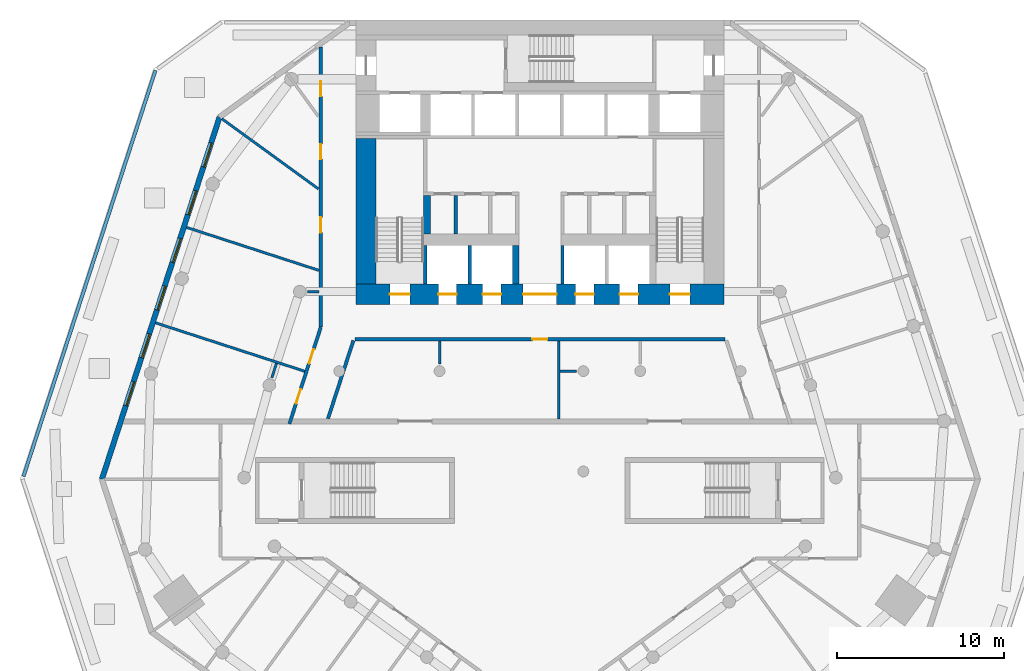
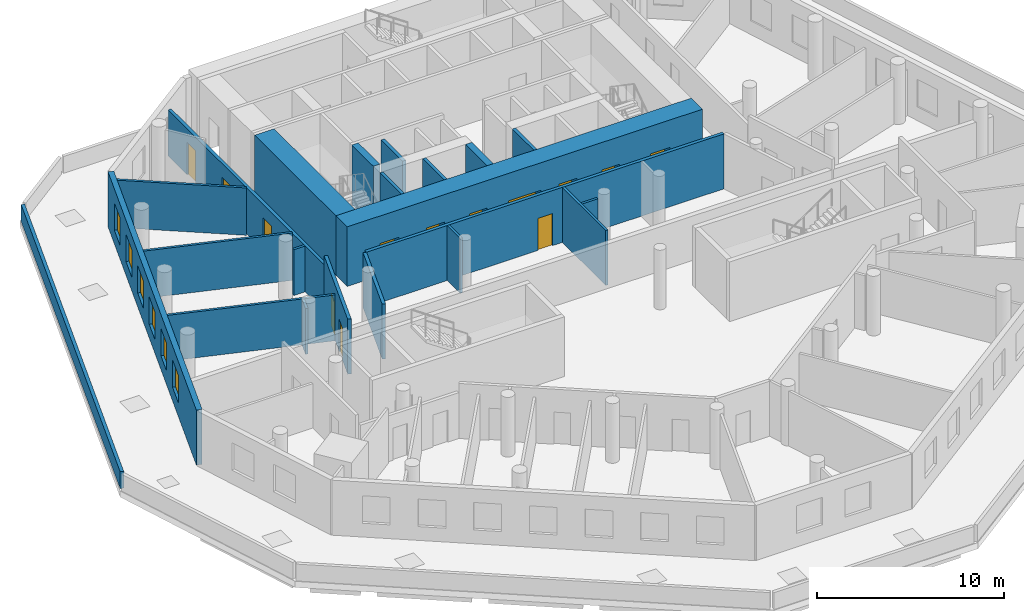
# One storey, part 5 of 10: 22 walls, 13 doors, 6 windows, 19 openings.
"""IFC4 building model written with IfcOpenShell, lengths in metres."""

from ifc_helpers import new_model, si_unit, direction, frame, frame_2d, origin, place, context, subcontext, project, spatial, rectangle, extrude, material, layer, layer_set, type_object, element, fill, save


model = new_model("IFC4")

# Units and contexts
model_context = context("Model", 3, precision=1e-05, world=origin(), true_north=direction((0.0, 1.0)))
body_context = subcontext(model_context, "Body", "Model", "MODEL_VIEW")
ifc_project = project(units=[si_unit("LENGTHUNIT", "METRE"), si_unit("AREAUNIT", "SQUARE_METRE"), si_unit("VOLUMEUNIT", "CUBIC_METRE"), si_unit("PLANEANGLEUNIT", "RADIAN"), si_unit("MASSUNIT", "GRAM", prefix="KILO")], contexts=[model_context])

# Site, building, storey
site_placement = place(None, origin())
site = spatial("IfcSite", under=ifc_project, at=site_placement, CompositionType="ELEMENT")
building_placement = place(site_placement, origin())
building = spatial("IfcBuilding", under=site, at=building_placement, Name="White Candle Pilgrim Tower", CompositionType="ELEMENT")
storey_placement = place(building_placement, frame((0.0, 0.0, 39.0)))
storey = spatial("IfcBuildingStorey", under=building, at=storey_placement, Name="L06", CompositionType="ELEMENT", Elevation=39.0)

# Wall, openings, doors
ifc_material_1 = material(Name="Gypsum board on steel studs", Category="steel")
ifc_layer_1 = layer(ifc_material_1, 0.199951171875)
ifc_layer_set_1 = layer_set([ifc_layer_1], Name="Corridor wall 200 mm EI 45")
wall_type_1 = type_object("IfcWallType", Name="Corridor wall 200 mm EI 45", PredefinedType="PARTITIONING", material=ifc_layer_set_1)
wall_1_placement = place(storey_placement, frame((55.0205078125, 63.85009765625, 0.0), z_axis=(0.0, 0.0, 1.0), x_axis=(0.309010538589, 0.951058613883, 0.0)))
wall_1 = element("IfcWall", 1, at=wall_1_placement, inside=storey, type_object=wall_type_1, Name="WL-L06-P002", PredefinedType="PARTITIONING", context=body_context, shape_type="SweptSolid", body=[
    extrude(rectangle(XDim=6.066162109375, YDim=0.199951171875, at=frame_2d((3.033203125, 0.0))), origin(), (0.0, 0.0, 1.0), 3.60009765625),
])
opening_1_placement = place(wall_1_placement, frame((1.27587890625, 0.0, 0.0)))
opening_1 = element("IfcOpeningElement", 2, at=opening_1_placement, cuts=wall_1, Name="Opening T01-117", PredefinedType="OPENING", context=body_context, shape_type="SweptSolid", body=[
    extrude(rectangle(XDim=0.89990234375, YDim=2.10009765625, at=frame_2d((0.449951171875, 1.050048828125))), frame((0.0, 0.10986328125, 0.0), z_axis=(0.0, -1.0, 0.0), x_axis=(1.0, 0.0, 0.0)), (0.0, 0.0, 1.0), 0.219970703125),
])
opening_2_placement = place(wall_1_placement, frame((3.79638671875, 0.0, 0.0)))
opening_2 = element("IfcOpeningElement", 3, at=opening_2_placement, cuts=wall_1, Name="Opening T01-118", PredefinedType="OPENING", context=body_context, shape_type="SweptSolid", body=[
    extrude(rectangle(XDim=0.89990234375, YDim=2.10009765625, at=frame_2d((0.449951171875, 1.050048828125))), frame((0.0, 0.10986328125, 0.0), z_axis=(0.0, -1.0, 0.0), x_axis=(1.0, 0.0, 0.0)), (0.0, 0.0, 1.0), 0.219970703125),
])
ifc_material_2 = material(Name="Steel door leaf", Category="steel")
door_type_1 = type_object("IfcDoorType", Name="Fire door 900 x 2100 EI 30", OperationType="NOTDEFINED", PredefinedType="DOOR", material=ifc_material_2)
door_1_placement = place(opening_1_placement, origin())
door_1 = element("IfcDoor", 4, at=door_1_placement, inside=storey, type_object=door_type_1, Name="Door T01-117", OperationType="SINGLE_SWING_LEFT", OverallHeight=2.10009765625, OverallWidth=0.89990234375, PredefinedType="DOOR", context=body_context, shape_type="SweptSolid", body=[
    extrude(rectangle(XDim=0.89990234375, YDim=2.10009765625, at=frame_2d((0.449951171875, 1.050048828125))), frame((0.0, 0.02490234375, 0.0), z_axis=(0.0, -1.0, 0.0), x_axis=(1.0, 0.0, 0.0)), (0.0, 0.0, 1.0), 0.050048828125),
])
fill(opening_1, door_1)
door_2_placement = place(opening_2_placement, origin())
door_2 = element("IfcDoor", 5, at=door_2_placement, inside=storey, type_object=door_type_1, Name="Door T01-118", OperationType="SINGLE_SWING_RIGHT", OverallHeight=2.10009765625, OverallWidth=0.89990234375, PredefinedType="DOOR", context=body_context, shape_type="SweptSolid", body=[
    extrude(rectangle(XDim=0.89990234375, YDim=2.10009765625, at=frame_2d((0.449951171875, 1.050048828125))), frame((0.0, 0.02490234375, 0.0), z_axis=(0.0, -1.0, 0.0), x_axis=(1.0, 0.0, 0.0)), (0.0, 0.0, 1.0), 0.050048828125),
])
fill(opening_2, door_2)

wall_2_placement = place(storey_placement, frame((56.89990234375, 69.650390625, 0.0), z_axis=(0.0, 0.0, 1.0), x_axis=(0.0, 1.0, 0.0)))
wall_2 = element("IfcWall", 6, at=wall_2_placement, inside=storey, type_object=wall_type_1, Name="WL-L06-P003", PredefinedType="PARTITIONING", context=body_context, shape_type="SweptSolid", body=[
    extrude(rectangle(XDim=16.745849609375, YDim=0.199951171875, at=frame_2d((8.373046875, 0.0))), origin(), (0.0, 0.0, 1.0), 3.0),
])
opening_3_placement = place(wall_2_placement, frame((5.639892578125, 0.0, 0.0)))
opening_3 = element("IfcOpeningElement", 7, at=opening_3_placement, cuts=wall_2, Name="Opening T01-119", PredefinedType="OPENING", context=body_context, shape_type="SweptSolid", body=[
    extrude(rectangle(XDim=0.89990234375, YDim=2.10009765625, at=frame_2d((0.449951171875, 1.050048828125))), frame((0.0, 0.10986328125, 0.0), z_axis=(0.0, -1.0, 0.0), x_axis=(1.0, 0.0, 0.0)), (0.0, 0.0, 1.0), 0.219970703125),
])
opening_4_placement = place(wall_2_placement, frame((10.028076171875, 0.0, 0.0)))
opening_4 = element("IfcOpeningElement", 8, at=opening_4_placement, cuts=wall_2, Name="Opening T01-120", PredefinedType="OPENING", context=body_context, shape_type="SweptSolid", body=[
    extrude(rectangle(XDim=0.89990234375, YDim=2.10009765625, at=frame_2d((0.449951171875, 1.050048828125))), frame((0.0, 0.10986328125, 0.0), z_axis=(0.0, -1.0, 0.0), x_axis=(1.0, 0.0, 0.0)), (0.0, 0.0, 1.0), 0.219970703125),
])
opening_5_placement = place(wall_2_placement, frame((13.783935546875, 0.0, 0.0)))
opening_5 = element("IfcOpeningElement", 9, at=opening_5_placement, cuts=wall_2, Name="Opening T01-121", PredefinedType="OPENING", context=body_context, shape_type="SweptSolid", body=[
    extrude(rectangle(XDim=0.89990234375, YDim=2.10009765625, at=frame_2d((0.449951171875, 1.050048828125))), frame((0.0, 0.10986328125, 0.0), z_axis=(0.0, -1.0, 0.0), x_axis=(1.0, 0.0, 0.0)), (0.0, 0.0, 1.0), 0.219970703125),
])
door_3_placement = place(opening_3_placement, origin())
door_3 = element("IfcDoor", 10, at=door_3_placement, inside=storey, type_object=door_type_1, Name="Door T01-119", OperationType="SINGLE_SWING_LEFT", OverallHeight=2.10009765625, OverallWidth=0.89990234375, PredefinedType="DOOR", context=body_context, shape_type="SweptSolid", body=[
    extrude(rectangle(XDim=0.89990234375, YDim=2.10009765625, at=frame_2d((0.449951171875, 1.050048828125))), frame((0.0, 0.02490234375, 0.0), z_axis=(0.0, -1.0, 0.0), x_axis=(1.0, 0.0, 0.0)), (0.0, 0.0, 1.0), 0.050048828125),
])
fill(opening_3, door_3)
door_4_placement = place(opening_4_placement, origin())
door_4 = element("IfcDoor", 11, at=door_4_placement, inside=storey, type_object=door_type_1, Name="Door T01-120", OperationType="SINGLE_SWING_RIGHT", OverallHeight=2.10009765625, OverallWidth=0.89990234375, PredefinedType="DOOR", context=body_context, shape_type="SweptSolid", body=[
    extrude(rectangle(XDim=0.89990234375, YDim=2.10009765625, at=frame_2d((0.449951171875, 1.050048828125))), frame((0.0, 0.02490234375, 0.0), z_axis=(0.0, -1.0, 0.0), x_axis=(1.0, 0.0, 0.0)), (0.0, 0.0, 1.0), 0.050048828125),
])
fill(opening_4, door_4)
door_5_placement = place(opening_5_placement, origin())
door_5 = element("IfcDoor", 12, at=door_5_placement, inside=storey, type_object=door_type_1, Name="Door T01-121", OperationType="SINGLE_SWING_LEFT", OverallHeight=2.10009765625, OverallWidth=0.89990234375, PredefinedType="DOOR", context=body_context, shape_type="SweptSolid", body=[
    extrude(rectangle(XDim=0.89990234375, YDim=2.10009765625, at=frame_2d((0.449951171875, 1.050048828125))), frame((0.0, 0.02490234375, 0.0), z_axis=(0.0, -1.0, 0.0), x_axis=(1.0, 0.0, 0.0)), (0.0, 0.0, 1.0), 0.050048828125),
])
fill(opening_5, door_5)

# Wall, opening, door
wall_3_placement = place(storey_placement, frame((81.057861328125, 68.89990234375, 0.0), z_axis=(0.0, 0.0, 1.0), x_axis=(-1.0, 0.0, 0.0)))
wall_3 = element("IfcWall", 13, at=wall_3_placement, inside=storey, type_object=wall_type_1, Name="WL-L06-P013", PredefinedType="PARTITIONING", context=body_context, shape_type="SweptSolid", body=[
    extrude(rectangle(XDim=22.11572265625, YDim=0.199951171875, at=frame_2d((11.057861328125, 0.0))), origin(), (0.0, 0.0, 1.0), 3.60009765625),
])
opening_6_placement = place(wall_3_placement, frame((10.60791015625, 0.0, 0.0)))
opening_6 = element("IfcOpeningElement", 14, at=opening_6_placement, cuts=wall_3, Name="Opening T01-129", PredefinedType="OPENING", context=body_context, shape_type="SweptSolid", body=[
    extrude(rectangle(XDim=0.89990234375, YDim=2.10009765625, at=frame_2d((0.449951171875, 1.050048828125))), frame((0.0, 0.10986328125, 0.0), z_axis=(0.0, -1.0, 0.0), x_axis=(1.0, 0.0, 0.0)), (0.0, 0.0, 1.0), 0.219970703125),
])
door_6_placement = place(opening_6_placement, origin())
door_6 = element("IfcDoor", 15, at=door_6_placement, inside=storey, type_object=door_type_1, Name="Door T01-129", OperationType="SINGLE_SWING_LEFT", OverallHeight=2.10009765625, OverallWidth=0.89990234375, PredefinedType="DOOR", context=body_context, shape_type="SweptSolid", body=[
    extrude(rectangle(XDim=0.89990234375, YDim=2.10009765625, at=frame_2d((0.449951171875, 1.050048828125))), frame((0.0, 0.02490234375, 0.0), z_axis=(0.0, -1.0, 0.0), x_axis=(1.0, 0.0, 0.0)), (0.0, 0.0, 1.0), 0.050048828125),
])
fill(opening_6, door_6)

# Wall
wall_4_placement = place(storey_placement, frame((58.846923828125, 68.830810546875, 0.0), z_axis=(0.0, 0.0, 1.0), x_axis=(-0.309031112369, -0.951051928965, 0.0)))
element("IfcWall", 16, at=wall_4_placement, inside=storey, type_object=wall_type_1, Name="WL-L06-P014", PredefinedType="PARTITIONING", context=body_context, shape_type="SweptSolid", body=[
    extrude(rectangle(XDim=4.921875, YDim=0.199951171875, at=frame_2d((2.4609375, 0.0))), origin(), (0.0, 0.0, 1.0), 3.60009765625),
])

# Wall, openings, windows
ifc_material_3 = material(Name="Precast concrete C40/50", Category="concrete")
ifc_layer_2 = layer(ifc_material_3, 0.320068359375)
ifc_layer_set_2 = layer_set([ifc_layer_2], Name="Facade wall EW1 precast concrete C40/50 pier wall with timber-lined reveals")
wall_type_2 = type_object("IfcWallType", Name="Facade wall EW1 precast concrete C40/50 pier wall with timber-lined reveals", PredefinedType="SOLIDWALL", material=ifc_layer_set_2)
wall_5_placement = place(storey_placement, frame((50.844970703125, 82.19482421875, 0.0), z_axis=(0.0, 0.0, 1.0), x_axis=(-0.309016733543, -0.951056601045, 0.0)))
wall_5 = element("IfcWall", 17, at=wall_5_placement, inside=storey, type_object=wall_type_2, Name="Facade wall L06 WNW", PredefinedType="SOLIDWALL", context=body_context, shape_type="SweptSolid", body=[
    extrude(rectangle(XDim=22.770263671875, YDim=0.320068359375, at=frame_2d((11.38525390625, 0.0))), origin(), (0.0, 0.0, 1.0), 3.60009765625),
])
opening_7_placement = place(wall_5_placement, frame((1.635009765625, 0.0, 0.89990234375)))
opening_7 = element("IfcOpeningElement", 18, at=opening_7_placement, cuts=wall_5, Name="Opening W1", PredefinedType="OPENING", context=body_context, shape_type="SweptSolid", body=[
    extrude(rectangle(XDim=1.5, YDim=1.800048828125, at=frame_2d((0.75, 0.89990234375))), frame((0.0, 0.169921875, 0.0), z_axis=(0.0, -1.0, 0.0), x_axis=(1.0, 0.0, 0.0)), (0.0, 0.0, 1.0), 0.340087890625),
])
opening_8_placement = place(wall_5_placement, frame((4.635009765625, 0.0, 0.89990234375)))
opening_8 = element("IfcOpeningElement", 19, at=opening_8_placement, cuts=wall_5, Name="Opening W1", PredefinedType="OPENING", context=body_context, shape_type="SweptSolid", body=[
    extrude(rectangle(XDim=1.5, YDim=1.800048828125, at=frame_2d((0.75, 0.89990234375))), frame((0.0, 0.169921875, 0.0), z_axis=(0.0, -1.0, 0.0), x_axis=(1.0, 0.0, 0.0)), (0.0, 0.0, 1.0), 0.340087890625),
])
opening_9_placement = place(wall_5_placement, frame((7.635009765625, 0.0, 0.89990234375)))
opening_9 = element("IfcOpeningElement", 20, at=opening_9_placement, cuts=wall_5, Name="Opening W1", PredefinedType="OPENING", context=body_context, shape_type="SweptSolid", body=[
    extrude(rectangle(XDim=1.5, YDim=1.800048828125, at=frame_2d((0.75, 0.89990234375))), frame((0.0, 0.169921875, 0.0), z_axis=(0.0, -1.0, 0.0), x_axis=(1.0, 0.0, 0.0)), (0.0, 0.0, 1.0), 0.340087890625),
])
opening_10_placement = place(wall_5_placement, frame((10.635009765625, 0.0, 0.89990234375)))
opening_10 = element("IfcOpeningElement", 21, at=opening_10_placement, cuts=wall_5, Name="Opening W1", PredefinedType="OPENING", context=body_context, shape_type="SweptSolid", body=[
    extrude(rectangle(XDim=1.5, YDim=1.800048828125, at=frame_2d((0.75, 0.89990234375))), frame((0.0, 0.169921875, 0.0), z_axis=(0.0, -1.0, 0.0), x_axis=(1.0, 0.0, 0.0)), (0.0, 0.0, 1.0), 0.340087890625),
])
opening_11_placement = place(wall_5_placement, frame((13.635009765625, 0.0, 0.89990234375)))
opening_11 = element("IfcOpeningElement", 22, at=opening_11_placement, cuts=wall_5, Name="Opening W1", PredefinedType="OPENING", context=body_context, shape_type="SweptSolid", body=[
    extrude(rectangle(XDim=1.5, YDim=1.800048828125, at=frame_2d((0.75, 0.89990234375))), frame((0.0, 0.169921875, 0.0), z_axis=(0.0, -1.0, 0.0), x_axis=(1.0, 0.0, 0.0)), (0.0, 0.0, 1.0), 0.340087890625),
])
opening_12_placement = place(wall_5_placement, frame((16.635009765625, 0.0, 0.89990234375)))
opening_12 = element("IfcOpeningElement", 23, at=opening_12_placement, cuts=wall_5, Name="Opening W1", PredefinedType="OPENING", context=body_context, shape_type="SweptSolid", body=[
    extrude(rectangle(XDim=1.5, YDim=1.800048828125, at=frame_2d((0.75, 0.89990234375))), frame((0.0, 0.169921875, 0.0), z_axis=(0.0, -1.0, 0.0), x_axis=(1.0, 0.0, 0.0)), (0.0, 0.0, 1.0), 0.340087890625),
])
ifc_material_4 = material(Name="Timber frame with triple glazing", Category="wood")
window_type = type_object("IfcWindowType", Name="Window W1 1500x1800 timber frame triple glazing", PartitioningType="SINGLE_PANEL", PredefinedType="WINDOW", material=ifc_material_4)
window_1_placement = place(opening_7_placement, origin())
window_1 = element("IfcWindow", 24, at=window_1_placement, inside=storey, type_object=window_type, Name="Window W1 L06 WNW 1", OverallHeight=1.800048828125, OverallWidth=1.5, PartitioningType="SINGLE_PANEL", PredefinedType="WINDOW", context=body_context, shape_type="SweptSolid", body=[
    extrude(rectangle(XDim=1.5, YDim=1.800048828125, at=frame_2d((0.75, 0.89990234375))), frame((0.0, 0.070068359375, 0.0), z_axis=(0.0, -1.0, 0.0), x_axis=(1.0, 0.0, 0.0)), (0.0, 0.0, 1.0), 0.06005859375),
])
fill(opening_7, window_1)
window_2_placement = place(opening_8_placement, origin())
window_2 = element("IfcWindow", 25, at=window_2_placement, inside=storey, type_object=window_type, Name="Window W1 L06 WNW 2", OverallHeight=1.800048828125, OverallWidth=1.5, PartitioningType="SINGLE_PANEL", PredefinedType="WINDOW", context=body_context, shape_type="SweptSolid", body=[
    extrude(rectangle(XDim=1.5, YDim=1.800048828125, at=frame_2d((0.75, 0.89990234375))), frame((0.0, 0.070068359375, 0.0), z_axis=(0.0, -1.0, 0.0), x_axis=(1.0, 0.0, 0.0)), (0.0, 0.0, 1.0), 0.06005859375),
])
fill(opening_8, window_2)
window_3_placement = place(opening_9_placement, origin())
window_3 = element("IfcWindow", 26, at=window_3_placement, inside=storey, type_object=window_type, Name="Window W1 L06 WNW 3", OverallHeight=1.800048828125, OverallWidth=1.5, PartitioningType="SINGLE_PANEL", PredefinedType="WINDOW", context=body_context, shape_type="SweptSolid", body=[
    extrude(rectangle(XDim=1.5, YDim=1.800048828125, at=frame_2d((0.75, 0.89990234375))), frame((0.0, 0.070068359375, 0.0), z_axis=(0.0, -1.0, 0.0), x_axis=(1.0, 0.0, 0.0)), (0.0, 0.0, 1.0), 0.06005859375),
])
fill(opening_9, window_3)
window_4_placement = place(opening_10_placement, origin())
window_4 = element("IfcWindow", 27, at=window_4_placement, inside=storey, type_object=window_type, Name="Window W1 L06 WNW 4", OverallHeight=1.800048828125, OverallWidth=1.5, PartitioningType="SINGLE_PANEL", PredefinedType="WINDOW", context=body_context, shape_type="SweptSolid", body=[
    extrude(rectangle(XDim=1.5, YDim=1.800048828125, at=frame_2d((0.75, 0.89990234375))), frame((0.0, 0.070068359375, 0.0), z_axis=(0.0, -1.0, 0.0), x_axis=(1.0, 0.0, 0.0)), (0.0, 0.0, 1.0), 0.06005859375),
])
fill(opening_10, window_4)
window_5_placement = place(opening_11_placement, origin())
window_5 = element("IfcWindow", 28, at=window_5_placement, inside=storey, type_object=window_type, Name="Window W1 L06 WNW 5", OverallHeight=1.800048828125, OverallWidth=1.5, PartitioningType="SINGLE_PANEL", PredefinedType="WINDOW", context=body_context, shape_type="SweptSolid", body=[
    extrude(rectangle(XDim=1.5, YDim=1.800048828125, at=frame_2d((0.75, 0.89990234375))), frame((0.0, 0.070068359375, 0.0), z_axis=(0.0, -1.0, 0.0), x_axis=(1.0, 0.0, 0.0)), (0.0, 0.0, 1.0), 0.06005859375),
])
fill(opening_11, window_5)
window_6_placement = place(opening_12_placement, origin())
window_6 = element("IfcWindow", 29, at=window_6_placement, inside=storey, type_object=window_type, Name="Window W1 L06 WNW 6", OverallHeight=1.800048828125, OverallWidth=1.5, PartitioningType="SINGLE_PANEL", PredefinedType="WINDOW", context=body_context, shape_type="SweptSolid", body=[
    extrude(rectangle(XDim=1.5, YDim=1.800048828125, at=frame_2d((0.75, 0.89990234375))), frame((0.0, 0.070068359375, 0.0), z_axis=(0.0, -1.0, 0.0), x_axis=(1.0, 0.0, 0.0)), (0.0, 0.0, 1.0), 0.06005859375),
])
fill(opening_12, window_6)

# Walls
ifc_layer_3 = layer(ifc_material_1, 0.199951171875)
ifc_layer_set_3 = layer_set([ifc_layer_3], Name="Lobby wall 200 mm EI 60")
wall_type_3 = type_object("IfcWallType", Name="Lobby wall 200 mm EI 60", PredefinedType="PARTITIONING", material=ifc_layer_set_3)
wall_6_placement = place(storey_placement, frame((64.9599609375, 75.199951171875, 0.0), z_axis=(0.0, 0.0, 1.0), x_axis=(0.0, 1.0, 0.0)))
element("IfcWall", 30, at=wall_6_placement, inside=storey, type_object=wall_type_3, Name="WL-L06-C23", PredefinedType="PARTITIONING", context=body_context, shape_type="SweptSolid", body=[
    extrude(rectangle(XDim=2.300048828125, YDim=0.199951171875, at=frame_2d((1.14990234375, 0.0))), origin(), (0.0, 0.0, 1.0), 3.60009765625),
])
ifc_layer_4 = layer(ifc_material_1, 0.14990234375)
ifc_layer_set_4 = layer_set([ifc_layer_4], Name="Partition 150 mm EI 60")
wall_type_4 = type_object("IfcWallType", Name="Partition 150 mm EI 60", PredefinedType="PARTITIONING", material=ifc_layer_set_4)
wall_7_placement = place(storey_placement, frame((50.981201171875, 82.095947265625, 0.0), z_axis=(0.0, 0.0, 1.0), x_axis=(0.808999272552, -0.587809643516, 0.0)))
element("IfcWall", 31, at=wall_7_placement, inside=storey, type_object=wall_type_4, Name="WL-L06-P016", PredefinedType="PARTITIONING", context=body_context, shape_type="SweptSolid", body=[
    extrude(rectangle(XDim=7.137939453125, YDim=0.14990234375, at=frame_2d((3.56884765625, 0.0))), origin(), (0.0, 0.0, 1.0), 3.10009765625),
])
wall_8_placement = place(storey_placement, frame((48.86962890625, 75.597412109375, 0.0), z_axis=(0.0, 0.0, 1.0), x_axis=(0.95105219364, -0.309030297822, 0.0)))
element("IfcWall", 32, at=wall_8_placement, inside=storey, type_object=wall_type_4, Name="WL-L06-P025", PredefinedType="PARTITIONING", context=body_context, shape_type="SweptSolid", body=[
    extrude(rectangle(XDim=8.314208984375, YDim=0.14990234375, at=frame_2d((4.1572265625, 0.0))), origin(), (0.0, 0.0, 1.0), 3.10009765625),
])
wall_9_placement = place(storey_placement, frame((47.015380859375, 69.890869140625, 0.0), z_axis=(0.0, 0.0, 1.0), x_axis=(0.951060843481, -0.309003676349, 0.0)))
element("IfcWall", 33, at=wall_9_placement, inside=storey, type_object=wall_type_4, Name="WL-L06-P026", PredefinedType="PARTITIONING", context=body_context, shape_type="SweptSolid", body=[
    extrude(rectangle(XDim=9.3798828125, YDim=0.14990234375, at=frame_2d((4.68994140625, 0.0))), origin(), (0.0, 0.0, 1.0), 3.0),
])
wall_10_placement = place(storey_placement, frame((71.126220703125, 64.14990234375, 0.0), z_axis=(0.0, 0.0, 1.0), x_axis=(0.0, 1.0, 0.0)))
element("IfcWall", 34, at=wall_10_placement, inside=storey, type_object=wall_type_4, Name="WL-L06-P038", PredefinedType="PARTITIONING", context=body_context, shape_type="SweptSolid", body=[
    extrude(rectangle(XDim=4.650146484375, YDim=0.14990234375, at=frame_2d((2.3251953125, 0.0))), origin(), (0.0, 0.0, 1.0), 3.60009765625),
])
wall_11_placement = place(storey_placement, frame((56.10498046875, 71.76220703125, 0.0), z_axis=(0.0, 0.0, 1.0), x_axis=(1.0, 0.0, 0.0)))
element("IfcWall", 35, at=wall_11_placement, inside=storey, type_object=wall_type_4, Name="WL-L06-P048", PredefinedType="PARTITIONING", context=body_context, shape_type="SweptSolid", body=[
    extrude(rectangle(XDim=0.695068359375, YDim=0.14990234375, at=frame_2d((0.34765625, 0.0))), origin(), (0.0, 0.0, 1.0), 3.0),
])
wall_12_placement = place(storey_placement, frame((53.967041015625, 66.60107421875, 0.0), z_axis=(0.0, 0.0, 1.0), x_axis=(0.308939772629, 0.951081603695, 0.0)))
element("IfcWall", 36, at=wall_12_placement, inside=storey, type_object=wall_type_4, Name="WL-L06-P049", PredefinedType="PARTITIONING", context=body_context, shape_type="SweptSolid", body=[
    extrude(rectangle(XDim=0.905517578125, YDim=0.14990234375, at=frame_2d((0.45263671875, 0.0))), origin(), (0.0, 0.0, 1.0), 3.0),
])
wall_13_placement = place(storey_placement, frame((63.997802734375, 67.4150390625, 0.0), z_axis=(0.0, 0.0, 1.0), x_axis=(0.0, 1.0, 0.0)))
element("IfcWall", 37, at=wall_13_placement, inside=storey, type_object=wall_type_4, Name="WL-L06-P050", PredefinedType="PARTITIONING", context=body_context, shape_type="SweptSolid", body=[
    extrude(rectangle(XDim=1.385009765625, YDim=0.14990234375, at=frame_2d((0.6923828125, 0.0))), origin(), (0.0, 0.0, 1.0), 3.60009765625),
])
wall_14_placement = place(storey_placement, frame((72.18505859375, 66.997802734375, 0.0), z_axis=(0.0, 0.0, 1.0), x_axis=(-1.0, 0.0, 0.0)))
element("IfcWall", 38, at=wall_14_placement, inside=storey, type_object=wall_type_4, Name="WL-L06-P051", PredefinedType="PARTITIONING", context=body_context, shape_type="SweptSolid", body=[
    extrude(rectangle(XDim=0.98388671875, YDim=0.14990234375, at=frame_2d((0.491943359375, 0.0))), origin(), (0.0, 0.0, 1.0), 3.60009765625),
])
ifc_layer_5 = layer(ifc_material_3, 0.199951171875)
ifc_layer_set_5 = layer_set([ifc_layer_5], Name="Roof parapet EW5 precast concrete C40/50 200")
wall_type_5 = type_object("IfcWallType", Name="Roof parapet EW5 precast concrete C40/50 200", PredefinedType="SOLIDWALL", material=ifc_layer_set_5)
wall_15_placement = place(storey_placement, frame((39.119140625, 60.700927734375, 0.0), z_axis=(0.0, 0.0, 1.0), x_axis=(0.309015149374, 0.95105711577, 0.0)))
element("IfcWall", 39, at=wall_15_placement, inside=storey, type_object=wall_type_5, Name="Roof parapet L05", PredefinedType="SOLIDWALL", context=body_context, shape_type="SweptSolid", body=[
    extrude(rectangle(XDim=25.53076171875, YDim=0.199951171875, at=frame_2d((12.765380859375, 0.0))), origin(), (0.0, 0.0, 1.0), 1.10009765625),
])
ifc_material_5 = material(Name="Concrete C70/85", Category="concrete")
ifc_layer_6 = layer(ifc_material_5, 0.199951171875)
ifc_layer_set_6 = layer_set([ifc_layer_6], Name="Shaft wall 200 mm Concrete C70/85")
wall_type_6 = type_object("IfcWallType", Name="Shaft wall 200 mm Concrete C70/85", PredefinedType="SHEAR", material=ifc_layer_set_6)
for number, where, z_axis, x_axis, name in (
    (40, (65.800048828125, 72.199951171875, 0.0), (0.0, 0.0, 1.0), (0.0, 1.0, 0.0), "WL-L06-C14"),
    (41, (71.35009765625, 72.199951171875, 0.0), (0.0, 0.0, 1.0), (0.0, 1.0, 0.0), "WL-L06-C16"),
):
    element("IfcWall", number, at=place(storey_placement, frame(where, z_axis=z_axis, x_axis=x_axis)), inside=storey, type_object=wall_type_6, Name=name, PredefinedType="SHEAR", context=body_context, shape_type="SweptSolid", body=[
        extrude(rectangle(XDim=2.300048828125, YDim=0.199951171875, at=frame_2d((1.14990234375, 0.0))), origin(), (0.0, 0.0, 1.0), 3.89990234375),
    ])
ifc_layer_7 = layer(ifc_material_5, 0.39990234375)
ifc_layer_set_7 = layer_set([ifc_layer_7], Name="Shaft wall 400 mm Concrete C70/85")
wall_type_7 = type_object("IfcWallType", Name="Shaft wall 400 mm Concrete C70/85", PredefinedType="SHEAR", material=ifc_layer_set_7)
wall_16_placement = place(storey_placement, frame((68.550048828125, 72.199951171875, 0.0), z_axis=(0.0, 0.0, 1.0), x_axis=(0.0, 1.0, 0.0)))
element("IfcWall", 42, at=wall_16_placement, inside=storey, type_object=wall_type_7, Name="WL-L06-C15", PredefinedType="SHEAR", context=body_context, shape_type="SweptSolid", body=[
    extrude(rectangle(XDim=2.300048828125, YDim=0.39990234375, at=frame_2d((1.14990234375, 0.0))), origin(), (0.0, 0.0, 1.0), 3.89990234375),
])

# Wall, openings, doors
ifc_layer_8 = layer(ifc_material_5, 1.199951171875)
ifc_layer_set_8 = layer_set([ifc_layer_8], Name="Stair shaft wall 1200 mm Concrete C70/85")
wall_type_8 = type_object("IfcWallType", Name="Stair shaft wall 1200 mm Concrete C70/85", PredefinedType="SHEAR", material=ifc_layer_set_8)
wall_17_placement = place(storey_placement, frame((59.0, 71.60009765625, 0.0), z_axis=(0.0, 0.0, 1.0), x_axis=(1.0, 0.0, 0.0)))
wall_17 = element("IfcWall", 43, at=wall_17_placement, inside=storey, type_object=wall_type_8, Name="WL-L06-C11", PredefinedType="SHEAR", context=body_context, shape_type="SweptSolid", body=[
    extrude(rectangle(XDim=22.0, YDim=1.199951171875, at=frame_2d((11.0, 0.0))), origin(), (0.0, 0.0, 1.0), 3.89990234375),
])
opening_13_placement = place(wall_17_placement, frame((2.02490234375, 0.0, 0.0)))
opening_13 = element("IfcOpeningElement", 44, at=opening_13_placement, cuts=wall_17, Name="Opening T01-001", PredefinedType="OPENING", context=body_context, shape_type="SweptSolid", body=[
    extrude(rectangle(XDim=1.199951171875, YDim=2.10009765625, at=frame_2d((0.60009765625, 1.050048828125))), frame((0.0, 0.60986328125, 0.0), z_axis=(0.0, -1.0, 0.0), x_axis=(1.0, 0.0, 0.0)), (0.0, 0.0, 1.0), 1.219970703125),
])
opening_14_placement = place(wall_17_placement, frame((18.77490234375, 0.0, 0.0)))
opening_14 = element("IfcOpeningElement", 45, at=opening_14_placement, cuts=wall_17, Name="Opening T01-002", PredefinedType="OPENING", context=body_context, shape_type="SweptSolid", body=[
    extrude(rectangle(XDim=1.199951171875, YDim=2.10009765625, at=frame_2d((0.60009765625, 1.050048828125))), frame((0.0, 0.60986328125, 0.0), z_axis=(0.0, -1.0, 0.0), x_axis=(1.0, 0.0, 0.0)), (0.0, 0.0, 1.0), 1.219970703125),
])
opening_15_placement = place(wall_17_placement, frame((10.0, 0.0, 0.0)))
opening_15 = element("IfcOpeningElement", 46, at=opening_15_placement, cuts=wall_17, Name="Opening T01-004", PredefinedType="OPENING", context=body_context, shape_type="SweptSolid", body=[
    extrude(rectangle(XDim=2.0, YDim=2.10009765625, at=frame_2d((1.0, 1.050048828125))), frame((0.0, 0.60986328125, 0.0), z_axis=(0.0, -1.0, 0.0), x_axis=(1.0, 0.0, 0.0)), (0.0, 0.0, 1.0), 1.219970703125),
])
opening_16_placement = place(wall_17_placement, frame((4.925048828125, 0.0, 0.0)))
opening_16 = element("IfcOpeningElement", 47, at=opening_16_placement, cuts=wall_17, Name="Opening T01-014", PredefinedType="OPENING", context=body_context, shape_type="SweptSolid", body=[
    extrude(rectangle(XDim=1.10009765625, YDim=2.10009765625, at=frame_2d((0.550048828125, 1.050048828125))), frame((0.0, 0.60986328125, 0.0), z_axis=(0.0, -1.0, 0.0), x_axis=(1.0, 0.0, 0.0)), (0.0, 0.0, 1.0), 1.219970703125),
])
opening_17_placement = place(wall_17_placement, frame((7.574951171875, 0.0, 0.0)))
opening_17 = element("IfcOpeningElement", 48, at=opening_17_placement, cuts=wall_17, Name="Opening T01-015", PredefinedType="OPENING", context=body_context, shape_type="SweptSolid", body=[
    extrude(rectangle(XDim=1.10009765625, YDim=2.10009765625, at=frame_2d((0.550048828125, 1.050048828125))), frame((0.0, 0.60986328125, 0.0), z_axis=(0.0, -1.0, 0.0), x_axis=(1.0, 0.0, 0.0)), (0.0, 0.0, 1.0), 1.219970703125),
])
opening_18_placement = place(wall_17_placement, frame((13.125, 0.0, 0.0)))
opening_18 = element("IfcOpeningElement", 49, at=opening_18_placement, cuts=wall_17, Name="Opening T01-016", PredefinedType="OPENING", context=body_context, shape_type="SweptSolid", body=[
    extrude(rectangle(XDim=1.10009765625, YDim=2.10009765625, at=frame_2d((0.550048828125, 1.050048828125))), frame((0.0, 0.60986328125, 0.0), z_axis=(0.0, -1.0, 0.0), x_axis=(1.0, 0.0, 0.0)), (0.0, 0.0, 1.0), 1.219970703125),
])
opening_19_placement = place(wall_17_placement, frame((15.77490234375, 0.0, 0.0)))
opening_19 = element("IfcOpeningElement", 50, at=opening_19_placement, cuts=wall_17, Name="Opening T01-017", PredefinedType="OPENING", context=body_context, shape_type="SweptSolid", body=[
    extrude(rectangle(XDim=1.10009765625, YDim=2.10009765625, at=frame_2d((0.550048828125, 1.050048828125))), frame((0.0, 0.60986328125, 0.0), z_axis=(0.0, -1.0, 0.0), x_axis=(1.0, 0.0, 0.0)), (0.0, 0.0, 1.0), 1.219970703125),
])
door_type_2 = type_object("IfcDoorType", Name="Fire door 1200 x 2100 EI 60", OperationType="NOTDEFINED", PredefinedType="DOOR", material=ifc_material_2)
door_7_placement = place(opening_13_placement, frame((1.199951171875, 0.0, 0.0), z_axis=(0.0, 0.0, 1.0), x_axis=(-1.0, 0.0, 0.0)))
door_7 = element("IfcDoor", 51, at=door_7_placement, inside=storey, type_object=door_type_2, Name="Door T01-001", OperationType="SINGLE_SWING_RIGHT", OverallHeight=2.10009765625, OverallWidth=1.199951171875, PredefinedType="DOOR", context=body_context, shape_type="SweptSolid", body=[
    extrude(rectangle(XDim=1.199951171875, YDim=2.10009765625, at=frame_2d((0.60009765625, 1.050048828125))), frame((0.0, 0.02490234375, 0.0), z_axis=(0.0, -1.0, 0.0), x_axis=(1.0, 0.0, 0.0)), (0.0, 0.0, 1.0), 0.050048828125),
])
fill(opening_13, door_7)
door_8_placement = place(opening_14_placement, frame((1.199951171875, 0.0, 0.0), z_axis=(0.0, 0.0, 1.0), x_axis=(-1.0, 0.0, 0.0)))
door_8 = element("IfcDoor", 52, at=door_8_placement, inside=storey, type_object=door_type_2, Name="Door T01-002", OperationType="SINGLE_SWING_LEFT", OverallHeight=2.10009765625, OverallWidth=1.199951171875, PredefinedType="DOOR", context=body_context, shape_type="SweptSolid", body=[
    extrude(rectangle(XDim=1.199951171875, YDim=2.10009765625, at=frame_2d((0.60009765625, 1.050048828125))), frame((0.0, 0.02490234375, 0.0), z_axis=(0.0, -1.0, 0.0), x_axis=(1.0, 0.0, 0.0)), (0.0, 0.0, 1.0), 0.050048828125),
])
fill(opening_14, door_8)
door_type_3 = type_object("IfcDoorType", Name="Fire door 2000 x 2100 EI 60", OperationType="NOTDEFINED", PredefinedType="DOOR", material=ifc_material_2)
door_9_placement = place(opening_15_placement, frame((2.0, 0.0, 0.0), z_axis=(0.0, 0.0, 1.0), x_axis=(-1.0, 0.0, 0.0)))
door_9 = element("IfcDoor", 53, at=door_9_placement, inside=storey, type_object=door_type_3, Name="Door T01-004", OperationType="DOUBLE_DOOR_SINGLE_SWING", OverallHeight=2.10009765625, OverallWidth=2.0, PredefinedType="DOOR", context=body_context, shape_type="SweptSolid", body=[
    extrude(rectangle(XDim=2.0, YDim=2.10009765625, at=frame_2d((1.0, 1.050048828125))), frame((0.0, 0.02490234375, 0.0), z_axis=(0.0, -1.0, 0.0), x_axis=(1.0, 0.0, 0.0)), (0.0, 0.0, 1.0), 0.050048828125),
])
fill(opening_15, door_9)
ifc_material_6 = material(Name="Stainless steel", Category="steel")
door_type_4 = type_object("IfcDoorType", Name="Lift landing door 1100 x 2100 E 60", OperationType="DOUBLE_DOOR_SLIDING", PredefinedType="DOOR", material=ifc_material_6)
door_10_placement = place(opening_16_placement, origin())
door_10 = element("IfcDoor", 54, at=door_10_placement, inside=storey, type_object=door_type_4, Name="Door T01-014", OperationType="DOUBLE_DOOR_SLIDING", OverallHeight=2.10009765625, OverallWidth=1.10009765625, PredefinedType="DOOR", context=body_context, shape_type="SweptSolid", body=[
    extrude(rectangle(XDim=1.10009765625, YDim=2.10009765625, at=frame_2d((0.550048828125, 1.050048828125))), frame((0.0, 0.02490234375, 0.0), z_axis=(0.0, -1.0, 0.0), x_axis=(1.0, 0.0, 0.0)), (0.0, 0.0, 1.0), 0.050048828125),
])
fill(opening_16, door_10)
door_11_placement = place(opening_17_placement, origin())
door_11 = element("IfcDoor", 55, at=door_11_placement, inside=storey, type_object=door_type_4, Name="Door T01-015", OperationType="DOUBLE_DOOR_SLIDING", OverallHeight=2.10009765625, OverallWidth=1.10009765625, PredefinedType="DOOR", context=body_context, shape_type="SweptSolid", body=[
    extrude(rectangle(XDim=1.10009765625, YDim=2.10009765625, at=frame_2d((0.550048828125, 1.050048828125))), frame((0.0, 0.02490234375, 0.0), z_axis=(0.0, -1.0, 0.0), x_axis=(1.0, 0.0, 0.0)), (0.0, 0.0, 1.0), 0.050048828125),
])
fill(opening_17, door_11)
door_12_placement = place(opening_18_placement, origin())
door_12 = element("IfcDoor", 56, at=door_12_placement, inside=storey, type_object=door_type_4, Name="Door T01-016", OperationType="DOUBLE_DOOR_SLIDING", OverallHeight=2.10009765625, OverallWidth=1.10009765625, PredefinedType="DOOR", context=body_context, shape_type="SweptSolid", body=[
    extrude(rectangle(XDim=1.10009765625, YDim=2.10009765625, at=frame_2d((0.550048828125, 1.050048828125))), frame((0.0, 0.02490234375, 0.0), z_axis=(0.0, -1.0, 0.0), x_axis=(1.0, 0.0, 0.0)), (0.0, 0.0, 1.0), 0.050048828125),
])
fill(opening_18, door_12)
door_13_placement = place(opening_19_placement, origin())
door_13 = element("IfcDoor", 57, at=door_13_placement, inside=storey, type_object=door_type_4, Name="Door T01-017", OperationType="DOUBLE_DOOR_SLIDING", OverallHeight=2.10009765625, OverallWidth=1.10009765625, PredefinedType="DOOR", context=body_context, shape_type="SweptSolid", body=[
    extrude(rectangle(XDim=1.10009765625, YDim=2.10009765625, at=frame_2d((0.550048828125, 1.050048828125))), frame((0.0, 0.02490234375, 0.0), z_axis=(0.0, -1.0, 0.0), x_axis=(1.0, 0.0, 0.0)), (0.0, 0.0, 1.0), 0.050048828125),
])
fill(opening_19, door_13)

# Walls
wall_18_placement = place(storey_placement, frame((59.60009765625, 72.199951171875, 0.0), z_axis=(0.0, 0.0, 1.0), x_axis=(0.0, 1.0, 0.0)))
element("IfcWall", 58, at=wall_18_placement, inside=storey, type_object=wall_type_8, Name="WL-L06-C12", PredefinedType="SHEAR", context=body_context, shape_type="SweptSolid", body=[
    extrude(rectangle(XDim=8.699951171875, YDim=1.199951171875, at=frame_2d((4.35009765625, 0.0))), origin(), (0.0, 0.0, 1.0), 3.89990234375),
])
ifc_layer_9 = layer(ifc_material_5, 0.199951171875)
ifc_layer_set_9 = layer_set([ifc_layer_9], Name="Stair shaft wall 200 mm Concrete C70/85")
wall_type_9 = type_object("IfcWallType", Name="Stair shaft wall 200 mm Concrete C70/85", PredefinedType="SHEAR", material=ifc_layer_set_9)
wall_19_placement = place(storey_placement, frame((63.14990234375, 72.199951171875, 0.0), z_axis=(0.0, 0.0, 1.0), x_axis=(0.0, 1.0, 0.0)))
element("IfcWall", 59, at=wall_19_placement, inside=storey, type_object=wall_type_9, Name="WL-L06-C13", PredefinedType="SHEAR", context=body_context, shape_type="SweptSolid", body=[
    extrude(rectangle(XDim=2.300048828125, YDim=0.199951171875, at=frame_2d((1.14990234375, 0.0))), origin(), (0.0, 0.0, 1.0), 3.89990234375),
])
ifc_layer_10 = layer(ifc_material_5, 0.39990234375)
ifc_layer_set_10 = layer_set([ifc_layer_10], Name="Stair shaft wall 400 mm Concrete C70/85")
wall_type_10 = type_object("IfcWallType", Name="Stair shaft wall 400 mm Concrete C70/85", PredefinedType="SHEAR", material=ifc_layer_set_10)
wall_20_placement = place(storey_placement, frame((63.25, 75.199951171875, 0.0), z_axis=(0.0, 0.0, 1.0), x_axis=(0.0, 1.0, 0.0)))
element("IfcWall", 60, at=wall_20_placement, inside=storey, type_object=wall_type_10, Name="WL-L06-C22", PredefinedType="SHEAR", context=body_context, shape_type="SweptSolid", body=[
    extrude(rectangle(XDim=2.300048828125, YDim=0.39990234375, at=frame_2d((1.14990234375, 0.0))), origin(), (0.0, 0.0, 1.0), 3.89990234375),
])

save(model, "model.ifc")
